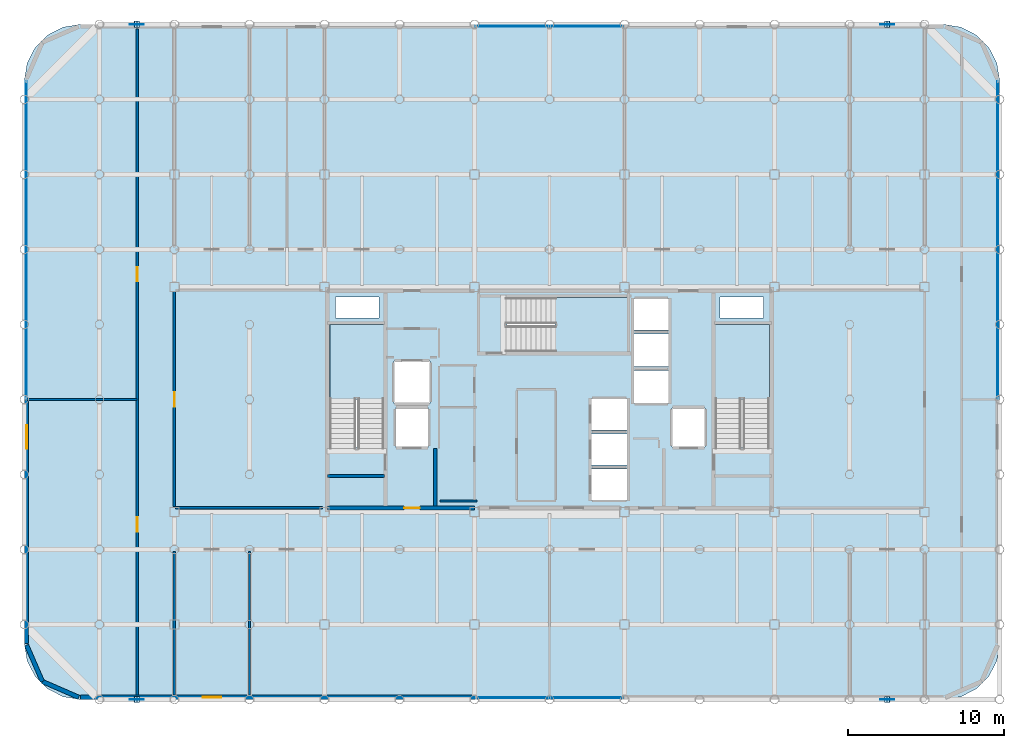
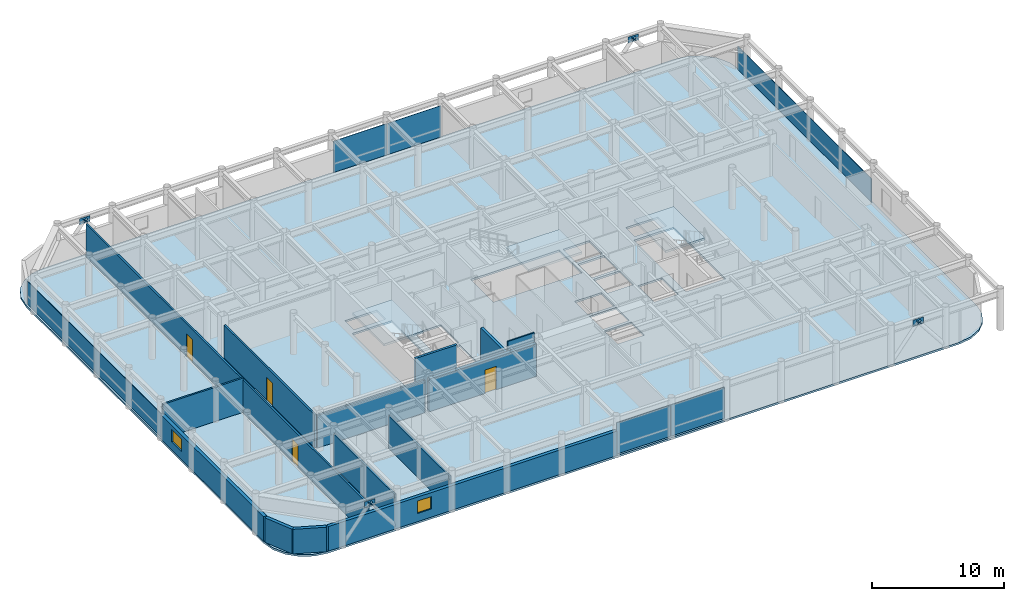
# One storey, part 17 of 21: 18 plates, 14 walls, 4 doors, 4 slabs, 2 windows, 6 openings, 7 elements without a shape of their own.
"""IFC4 building model written with IfcOpenShell, lengths in metres."""

from ifc_helpers import new_model, si_unit, direction, frame, frame_2d, origin, origin_2d, place, context, subcontext, project, spatial, polyline, rectangle, outline, extrude, material, layer, layer_set, type_object, element, fill, aggregate, save


model = new_model("IFC4")

# Units and contexts
model_context = context("Model", 3, precision=1e-05, world=origin(), true_north=direction((0.0, 1.0)))
body_context = subcontext(model_context, "Body", "Model", "MODEL_VIEW")
ifc_project = project(units=[si_unit("LENGTHUNIT", "METRE"), si_unit("AREAUNIT", "SQUARE_METRE"), si_unit("VOLUMEUNIT", "CUBIC_METRE"), si_unit("PLANEANGLEUNIT", "RADIAN"), si_unit("MASSUNIT", "GRAM", prefix="KILO")], contexts=[model_context])

# Site, building, storey
site_placement = place(None, origin())
site = spatial("IfcSite", under=ifc_project, at=site_placement, CompositionType="ELEMENT")
building_placement = place(site_placement, origin())
building = spatial("IfcBuilding", under=site, at=building_placement, Name="Kallvorn Hotel Tower", CompositionType="ELEMENT")
storey_placement = place(building_placement, frame((0.0, 0.0, 268.5)))
storey = spatial("IfcBuildingStorey", under=building, at=storey_placement, Name="L67", CompositionType="ELEMENT", Elevation=268.5)

# Curtain wall, plates
ifc_material_1 = material(Name="Thermally broken black-anodised aluminium AA 6063-T6", Category="aluminium")
ifc_layer_1 = layer(ifc_material_1, 0.22998046875)
ifc_layer_set_1 = layer_set([ifc_layer_1], Name="CW_SYS_5_HOTEL_HIGH")
curtain_wall_type = type_object("IfcCurtainWallType", Name="CW_SYS_5_HOTEL_HIGH", PredefinedType="USERDEFINED", material=ifc_layer_set_1)
curtain_wall_1_placement = place(storey_placement, origin())
curtain_wall_1 = element("IfcCurtainWall", 1, at=curtain_wall_1_placement, inside=storey, type_object=curtain_wall_type, Name="L67 Dark-Glass Curtain Wall CW-L67-SC", ObjectType="UNITISED CURTAIN WALL", PredefinedType="USERDEFINED")
ifc_material_2 = material(Name="Triple-glazed low-e acoustic solar-control dark glass", Category="glass")
ifc_layer_2 = layer(ifc_material_2, 0.04150390625)
ifc_layer_set_2 = layer_set([ifc_layer_2], Name="CW_SYS_5_HOTEL_HIGH_PANEL")
plate_type_1 = type_object("IfcPlateType", Name="CW_SYS_5_HOTEL_HIGH_PANEL", PredefinedType="CURTAIN_PANEL", material=ifc_layer_set_2)
plate_1_placement = place(storey_placement, frame((-2.375, -19.080078125, 0.06005859375), z_axis=(0.0, 0.0, 1.0), x_axis=(1.0, 0.0, 0.0)))
plate_1 = element("IfcPlate", 2, at=plate_1_placement, type_object=plate_type_1, Name="CW-L67-SC Vision Glass Panel 00", PredefinedType="CURTAIN_PANEL", context=body_context, shape_type="SweptSolid", body=[
    extrude(rectangle(XDim=4.68994140625, YDim=0.04150390625, at=origin_2d()), origin(), (0.0, 0.0, 1.0), 2.89990234375),
])
plate_2_placement = place(storey_placement, frame((2.375, -19.080078125, 0.06005859375), z_axis=(0.0, 0.0, 1.0), x_axis=(1.0, 0.0, 0.0)))
plate_2 = element("IfcPlate", 3, at=plate_2_placement, type_object=plate_type_1, Name="CW-L67-SC Vision Glass Panel 01", PredefinedType="CURTAIN_PANEL", context=body_context, shape_type="SweptSolid", body=[
    extrude(rectangle(XDim=4.68994140625, YDim=0.04150390625, at=origin_2d()), origin(), (0.0, 0.0, 1.0), 2.89990234375),
])
aggregate(curtain_wall_1, [plate_1, plate_2])

curtain_wall_2_placement = place(storey_placement, origin())
curtain_wall_2 = element("IfcCurtainWall", 4, at=curtain_wall_2_placement, inside=storey, type_object=curtain_wall_type, Name="L67 Dark-Glass Curtain Wall CW-L67-NC", ObjectType="UNITISED CURTAIN WALL", PredefinedType="USERDEFINED")
plate_3_placement = place(storey_placement, frame((-2.375, 23.8798828125, 0.06005859375), z_axis=(0.0, 0.0, 1.0), x_axis=(1.0, 0.0, 0.0)))
plate_3 = element("IfcPlate", 5, at=plate_3_placement, type_object=plate_type_1, Name="CW-L67-NC Vision Glass Panel 00", PredefinedType="CURTAIN_PANEL", context=body_context, shape_type="SweptSolid", body=[
    extrude(rectangle(XDim=4.68994140625, YDim=0.04150390625, at=origin_2d()), origin(), (0.0, 0.0, 1.0), 2.89990234375),
])
plate_4_placement = place(storey_placement, frame((2.375, 23.8798828125, 0.06005859375), z_axis=(0.0, 0.0, 1.0), x_axis=(1.0, 0.0, 0.0)))
plate_4 = element("IfcPlate", 6, at=plate_4_placement, type_object=plate_type_1, Name="CW-L67-NC Vision Glass Panel 01", PredefinedType="CURTAIN_PANEL", context=body_context, shape_type="SweptSolid", body=[
    extrude(rectangle(XDim=4.68994140625, YDim=0.04150390625, at=origin_2d()), origin(), (0.0, 0.0, 1.0), 2.89990234375),
])
aggregate(curtain_wall_2, [plate_3, plate_4])

# Curtain wall, plate
curtain_wall_3_placement = place(storey_placement, origin())
curtain_wall_3 = element("IfcCurtainWall", 7, at=curtain_wall_3_placement, inside=storey, type_object=curtain_wall_type, Name="L67 Dark-Glass Curtain Wall CW-L67-WN", ObjectType="UNITISED CURTAIN WALL", PredefinedType="USERDEFINED")
plate_5_placement = place(storey_placement, frame((-33.47998046875, 10.2099609375, 0.06005859375), z_axis=(0.0, 0.0, 1.0), x_axis=(0.0, 1.0, 0.0)))
plate_5 = element("IfcPlate", 8, at=plate_5_placement, type_object=plate_type_1, Name="CW-L67-WN Vision Glass Panel 00", PredefinedType="CURTAIN_PANEL", context=body_context, shape_type="SweptSolid", body=[
    extrude(rectangle(XDim=20.320068359375, YDim=0.04150390625, at=origin_2d()), origin(), (0.0, 0.0, 1.0), 2.14990234375),
])
aggregate(curtain_wall_3, [plate_5])

curtain_wall_4_placement = place(storey_placement, origin())
curtain_wall_4 = element("IfcCurtainWall", 9, at=curtain_wall_4_placement, inside=storey, type_object=curtain_wall_type, Name="L67 Dark-Glass Curtain Wall CW-L67-EN", ObjectType="UNITISED CURTAIN WALL", PredefinedType="USERDEFINED")
plate_6_placement = place(storey_placement, frame((28.679931640625, 10.2099609375, 0.06005859375), z_axis=(0.0, 0.0, 1.0), x_axis=(0.0, 1.0, 0.0)))
plate_6 = element("IfcPlate", 10, at=plate_6_placement, type_object=plate_type_1, Name="CW-L67-EN Vision Glass Panel 00", PredefinedType="CURTAIN_PANEL", context=body_context, shape_type="SweptSolid", body=[
    extrude(rectangle(XDim=20.320068359375, YDim=0.04150390625, at=origin_2d()), origin(), (0.0, 0.0, 1.0), 2.14990234375),
])
aggregate(curtain_wall_4, [plate_6])

# Plates
ifc_material_3 = material(Name="Structural steel S355JR", Category="steel")
ifc_layer_3 = layer(ifc_material_3, 0.030029296875)
ifc_layer_set_3 = layer_set([ifc_layer_3], Name="PLT_CAP_30")
plate_type_2 = type_object("IfcPlateType", Name="PLT_CAP_30", PredefinedType="SHEET", material=ifc_layer_set_3)
plate_7_placement = place(storey_placement, frame((-26.235595703125, -19.40185546875, 3.09228515625), z_axis=(0.621445895256, 0.0, 0.783457081957), x_axis=(0.0, 1.0, 0.0)))
element("IfcPlate", 11, at=plate_7_placement, inside=storey, type_object=plate_type_2, Name="EXO-L67-S1A End Cap Plate B", PredefinedType="SHEET", context=body_context, shape_type="SweptSolid", body=[
    extrude(outline(polyline([(0.0, 0.0), (0.40380859375, 0.0), (0.40380859375, 0.40385907190922293), (0.0, 0.40385907190922293), (0.0, 0.0)])), origin(), (0.0, 0.0, -1.0), 0.030029296875),
])
plate_8_placement = place(storey_placement, frame((-26.564453125, -18.998046875, 3.09228515625), z_axis=(-0.621151664719, 0.0, 0.783690378541), x_axis=(0.0, -1.0, 0.0)))
element("IfcPlate", 12, at=plate_8_placement, inside=storey, type_object=plate_type_2, Name="EXO-L67-S1B End Cap Plate B", PredefinedType="SHEET", context=body_context, shape_type="SweptSolid", body=[
    extrude(outline(polyline([(0.0, 0.0), (0.40380859375, 0.0), (0.40380859375, 0.4040503740962029), (0.0, 0.4040503740962029), (0.0, 0.0)])), origin(), (0.0, 0.0, -1.0), 0.030029296875),
])
plate_9_placement = place(storey_placement, frame((21.764404296875, -19.40185546875, 3.09228515625), z_axis=(0.621445895256, 0.0, 0.783457081957), x_axis=(0.0, 1.0, 0.0)))
element("IfcPlate", 13, at=plate_9_placement, inside=storey, type_object=plate_type_2, Name="EXO-L67-S2A End Cap Plate B", PredefinedType="SHEET", context=body_context, shape_type="SweptSolid", body=[
    extrude(outline(polyline([(0.0, 0.0), (0.40380859375, 0.0), (0.40380859375, 0.40385907190922293), (0.0, 0.40385907190922293), (0.0, 0.0)])), origin(), (0.0, 0.0, -1.0), 0.030029296875),
])
plate_10_placement = place(storey_placement, frame((21.435546875, -18.998046875, 3.09228515625), z_axis=(-0.621151664719, 0.0, 0.783690378541), x_axis=(0.0, -1.0, 0.0)))
element("IfcPlate", 14, at=plate_10_placement, inside=storey, type_object=plate_type_2, Name="EXO-L67-S2B End Cap Plate B", PredefinedType="SHEET", context=body_context, shape_type="SweptSolid", body=[
    extrude(outline(polyline([(0.0, 0.0), (0.40380859375, 0.0), (0.40380859375, 0.4040503740962029), (0.0, 0.4040503740962029), (0.0, 0.0)])), origin(), (0.0, 0.0, -1.0), 0.030029296875),
])
plate_11_placement = place(storey_placement, frame((-26.235595703125, 23.798095703125, 3.09228515625), z_axis=(0.621445895256, 0.0, 0.783457081957), x_axis=(0.0, 1.0, 0.0)))
element("IfcPlate", 15, at=plate_11_placement, inside=storey, type_object=plate_type_2, Name="EXO-L67-N1A End Cap Plate B", PredefinedType="SHEET", context=body_context, shape_type="SweptSolid", body=[
    extrude(outline(polyline([(0.0, 0.0), (0.40380859375, 0.0), (0.40380859375, 0.40385907190922293), (0.0, 0.40385907190922293), (0.0, 0.0)])), origin(), (0.0, 0.0, -1.0), 0.030029296875),
])
plate_12_placement = place(storey_placement, frame((-26.564453125, 24.201904296875, 3.09228515625), z_axis=(-0.621151664719, 0.0, 0.783690378541), x_axis=(0.0, -1.0, 0.0)))
element("IfcPlate", 16, at=plate_12_placement, inside=storey, type_object=plate_type_2, Name="EXO-L67-N1B End Cap Plate B", PredefinedType="SHEET", context=body_context, shape_type="SweptSolid", body=[
    extrude(outline(polyline([(0.0, 0.0), (0.40380859375, 0.0), (0.40380859375, 0.4040503740962029), (0.0, 0.4040503740962029), (0.0, 0.0)])), origin(), (0.0, 0.0, -1.0), 0.030029296875),
])
plate_13_placement = place(storey_placement, frame((21.764404296875, 23.798095703125, 3.09228515625), z_axis=(0.621445895256, 0.0, 0.783457081957), x_axis=(0.0, 1.0, 0.0)))
element("IfcPlate", 17, at=plate_13_placement, inside=storey, type_object=plate_type_2, Name="EXO-L67-N2A End Cap Plate B", PredefinedType="SHEET", context=body_context, shape_type="SweptSolid", body=[
    extrude(outline(polyline([(0.0, 0.0), (0.40380859375, 0.0), (0.40380859375, 0.40385907190922293), (0.0, 0.40385907190922293), (0.0, 0.0)])), origin(), (0.0, 0.0, -1.0), 0.030029296875),
])
plate_14_placement = place(storey_placement, frame((21.435546875, 24.201904296875, 3.09228515625), z_axis=(-0.621151664719, 0.0, 0.783690378541), x_axis=(0.0, -1.0, 0.0)))
element("IfcPlate", 18, at=plate_14_placement, inside=storey, type_object=plate_type_2, Name="EXO-L67-N2B End Cap Plate B", PredefinedType="SHEET", context=body_context, shape_type="SweptSolid", body=[
    extrude(outline(polyline([(0.0, 0.0), (0.40380859375, 0.0), (0.40380859375, 0.4040503740962029), (0.0, 0.4040503740962029), (0.0, 0.0)])), origin(), (0.0, 0.0, -1.0), 0.030029296875),
])
ifc_material_4 = material(Name="Structural steel S355JR", Category="steel")
ifc_layer_4 = layer(ifc_material_4, 0.034912109375)
ifc_layer_set_4 = layer_set([ifc_layer_4], Name="PLT_GUSSET_35")
plate_type_3 = type_object("IfcPlateType", Name="PLT_GUSSET_35", PredefinedType="USERDEFINED", material=ifc_layer_set_4)
for number, where, z_axis, x_axis, name in (
    (19, (-26.39990234375, -19.199951171875, 2.889892578125), (0.0, 0.0, 1.0), (1.0, 0.0, 0.0), "L67 Exoskeleton Node Gusset S1"),
    (20, (21.60009765625, -19.199951171875, 2.889892578125), (0.0, 0.0, 1.0), (1.0, 0.0, 0.0), "L67 Exoskeleton Node Gusset S2"),
    (21, (-26.39990234375, 24.0, 2.889892578125), (0.0, 0.0, 1.0), (1.0, 0.0, 0.0), "L67 Exoskeleton Node Gusset N1"),
    (22, (21.60009765625, 24.0, 2.889892578125), (0.0, 0.0, 1.0), (1.0, 0.0, 0.0), "L67 Exoskeleton Node Gusset N2"),
):
    element("IfcPlate", number, at=place(storey_placement, frame(where, z_axis=z_axis, x_axis=x_axis)), inside=storey, type_object=plate_type_3, Name=name, ObjectType="GUSSET PLATE", PredefinedType="USERDEFINED", context=body_context, shape_type="SweptSolid", body=[
        extrude(rectangle(XDim=0.89990234375, YDim=0.034912109375, at=origin_2d()), origin(), (0.0, 0.0, 1.0), 0.56005859375),
    ])

# Stair, slab
ifc_material_5 = material(Name="Precast concrete C40/50", Category="concrete")
stair_type = type_object("IfcStairType", Name="STR_CORE_DOGLEG", PredefinedType="HALF_TURN_STAIR", material=ifc_material_5)
stair_1_placement = place(storey_placement, origin())
stair_1 = element("IfcStair", 23, at=stair_1_placement, inside=storey, type_object=stair_type, Name="L67 Exit stair ST1", PredefinedType="HALF_TURN_STAIR")
ifc_material_6 = material(Name="Precast concrete C40/50", Category="concrete")
ifc_layer_5 = layer(ifc_material_6, 0.179931640625)
ifc_layer_set_5 = layer_set([ifc_layer_5], Name="SLB_LANDING_180")
slab_type_1 = type_object("IfcSlabType", Name="SLB_LANDING_180", PredefinedType="LANDING", material=ifc_layer_set_5)
slab_1_placement = place(storey_placement, frame((0.0, 0.0, 1.72509765625)))
slab_1 = element("IfcSlab", 24, at=slab_1_placement, type_object=slab_type_1, Name="ST1 landing 1", PredefinedType="LANDING", context=body_context, shape_type="SweptSolid", body=[
    extrude(outline(polyline([(-10.60009765625, 0.010009765625), (-10.60009765625, 4.800048828125), (-14.06005859375, 4.800048828125), (-14.06005859375, 0.010009765625), (-10.60009765625, 0.010009765625)])), origin(), (0.0, 0.0, 1.0), 0.199951171875),
])
aggregate(stair_1, [slab_1])

stair_2_placement = place(storey_placement, origin())
stair_2 = element("IfcStair", 25, at=stair_2_placement, inside=storey, type_object=stair_type, Name="L67 Exit stair ST2", PredefinedType="HALF_TURN_STAIR")
slab_2_placement = place(storey_placement, frame((0.0, 0.0, 1.72509765625)))
slab_2 = element("IfcSlab", 26, at=slab_2_placement, type_object=slab_type_1, Name="ST2 landing 1", PredefinedType="LANDING", context=body_context, shape_type="SweptSolid", body=[
    extrude(outline(polyline([(14.06005859375, 0.010009765625), (14.06005859375, 4.800048828125), (10.60009765625, 4.800048828125), (10.60009765625, 0.010009765625), (14.06005859375, 0.010009765625)])), origin(), (0.0, 0.0, 1.0), 0.199951171875),
])
aggregate(stair_2, [slab_2])

stair_3_placement = place(storey_placement, origin())
stair_3 = element("IfcStair", 27, at=stair_3_placement, inside=storey, type_object=stair_type, Name="L67 Exit stair ST3", PredefinedType="HALF_TURN_STAIR")
slab_3_placement = place(storey_placement, frame((0.0, 0.0, 1.72509765625)))
slab_3 = element("IfcSlab", 28, at=slab_3_placement, type_object=slab_type_1, Name="ST3 landing 1", PredefinedType="LANDING", context=body_context, shape_type="SweptSolid", body=[
    extrude(outline(polyline([(0.360107421875, 3.050048828125), (5.050048828125, 3.050048828125), (5.050048828125, 6.510009765625), (0.360107421875, 6.510009765625), (0.360107421875, 3.050048828125)])), origin(), (0.0, 0.0, 1.0), 0.199951171875),
])
aggregate(stair_3, [slab_3])

# Slab
ifc_material_7 = material(Name="Concrete C40/50", Category="concrete")
ifc_layer_6 = layer(ifc_material_7, 0.179931640625)
ifc_layer_set_6 = layer_set([ifc_layer_6], Name="SLB_TOWER_180")
slab_type_2 = type_object("IfcSlabType", Name="SLB_TOWER_180", PredefinedType="FLOOR", material=ifc_layer_set_6)
slab_4_placement = place(storey_placement, frame((0.0, 0.0, -0.179931640625)))
element("IfcSlab", 29, at=slab_4_placement, inside=storey, type_object=slab_type_2, Name="L67 Structural Floor Slab", PredefinedType="FLOOR", context=body_context, shape_type="SweptSolid", body=[
    extrude(outline(polyline([(25.199951171875, -19.199951171875), (26.3125, -19.023681640625), (27.31591796875, -18.512451171875), (28.112548828125, -17.716064453125), (28.623779296875, -16.71240234375), (28.800048828125, -15.60009765625), (28.800048828125, 20.39990234375), (28.623779296875, 21.512451171875), (28.112548828125, 22.51611328125), (27.31591796875, 23.3125), (26.3125, 23.82373046875), (25.199951171875, 24.0), (-30.0, 24.0), (-31.112548828125, 23.82373046875), (-32.115966796875, 23.3125), (-32.91259765625, 22.51611328125), (-33.423828125, 21.512451171875), (-33.60009765625, 20.39990234375), (-33.60009765625, -15.60009765625), (-33.423828125, -16.71240234375), (-32.91259765625, -17.716064453125), (-32.115966796875, -18.512451171875), (-31.112548828125, -19.023681640625), (-30.0, -19.199951171875), (25.199951171875, -19.199951171875)]), holes=[polyline([(-10.60009765625, -3.070068359375), (-10.60009765625, 4.800048828125), (-14.06005859375, 4.800048828125), (-14.06005859375, -3.070068359375), (-10.60009765625, -3.070068359375)]), polyline([(14.06005859375, -3.070068359375), (14.06005859375, 4.800048828125), (10.60009765625, 4.800048828125), (10.60009765625, -3.070068359375), (14.06005859375, -3.070068359375)]), polyline([(-2.719970703125, 3.050048828125), (5.050048828125, 3.050048828125), (5.050048828125, 6.510009765625), (-2.719970703125, 6.510009765625), (-2.719970703125, 3.050048828125)]), polyline([(2.64990234375, -6.449951171875), (5.0, -6.449951171875), (5.0, -4.449951171875), (2.64990234375, -4.449951171875), (2.64990234375, -6.449951171875)]), polyline([(2.64990234375, -4.199951171875), (5.0, -4.199951171875), (5.0, -2.199951171875), (2.64990234375, -2.199951171875), (2.64990234375, -4.199951171875)]), polyline([(2.64990234375, -1.949951171875), (5.0, -1.949951171875), (5.0, 0.050048828125), (2.64990234375, 0.050048828125), (2.64990234375, -1.949951171875)]), polyline([(5.35009765625, -0.25), (7.64990234375, -0.25), (7.64990234375, 1.85009765625), (5.35009765625, 1.85009765625), (5.35009765625, -0.25)]), polyline([(5.35009765625, 2.10009765625), (7.64990234375, 2.10009765625), (7.64990234375, 4.199951171875), (5.35009765625, 4.199951171875), (5.35009765625, 2.10009765625)]), polyline([(5.35009765625, 4.449951171875), (7.64990234375, 4.449951171875), (7.64990234375, 6.449951171875), (5.35009765625, 6.449951171875), (5.35009765625, 4.449951171875)]), polyline([(-9.85009765625, -3.050048828125), (-7.75, -3.050048828125), (-7.75, -0.550048828125), (-9.85009765625, -0.550048828125), (-9.85009765625, -3.050048828125)]), polyline([(7.85009765625, -3.050048828125), (9.949951171875, -3.050048828125), (9.949951171875, -0.550048828125), (7.85009765625, -0.550048828125), (7.85009765625, -3.050048828125)]), polyline([(-9.949951171875, -0.25), (-7.64990234375, -0.25), (-7.64990234375, 2.449951171875), (-9.949951171875, 2.449951171875), (-9.949951171875, -0.25)]), polyline([(-13.699951171875, 5.199951171875), (-10.89990234375, 5.199951171875), (-10.89990234375, 6.550048828125), (-13.699951171875, 6.550048828125), (-13.699951171875, 5.199951171875)]), polyline([(10.89990234375, 5.199951171875), (13.699951171875, 5.199951171875), (13.699951171875, 6.550048828125), (10.89990234375, 6.550048828125), (10.89990234375, 5.199951171875)])]), origin(), (0.0, 0.0, 1.0), 0.179931640625),
])

# Walls
ifc_material_8 = material(Name="Precast basalt-clad insulated concrete wall C40/50", Category="masonry")
ifc_layer_7 = layer(ifc_material_8, 0.280029296875)
ifc_layer_set_7 = layer_set([ifc_layer_7], Name="WL_EXT_LOGGIA_280")
wall_type_1 = type_object("IfcWallType", Name="WL_EXT_LOGGIA_280", PredefinedType="SOLIDWALL", material=ifc_layer_set_7)
wall_1_placement = place(storey_placement, frame((-33.4580078125, -15.720703125, 0.0), z_axis=(0.0, 0.0, 1.0), x_axis=(0.398792985289, -0.917040977756, 0.0)))
element("IfcWall", 30, at=wall_1_placement, inside=storey, type_object=wall_type_1, Name="L67 Rounded Corner Exterior Wall SW1", PredefinedType="SOLIDWALL", context=body_context, shape_type="SweptSolid", body=[
    extrude(rectangle(XDim=2.536376953125, YDim=0.280029296875, at=frame_2d((1.26806640625, 0.0))), origin(), (0.0, 0.0, 1.0), 2.27001953125),
])
wall_2_placement = place(storey_placement, frame((-32.446533203125, -18.046630859375, 0.0), z_axis=(0.0, 0.0, 1.0), x_axis=(0.917060872934, -0.398747232384, 0.0)))
element("IfcWall", 31, at=wall_2_placement, inside=storey, type_object=wall_type_1, Name="L67 Rounded Corner Exterior Wall SW2", PredefinedType="SOLIDWALL", context=body_context, shape_type="SweptSolid", body=[
    extrude(rectangle(XDim=2.5361328125, YDim=0.280029296875, at=frame_2d((1.26806640625, 0.0))), origin(), (0.0, 0.0, 1.0), 2.27001953125),
])

# Wall, opening, window
wall_3_placement = place(storey_placement, frame((-30.0, -19.06005859375, 0.0), z_axis=(0.0, 0.0, 1.0), x_axis=(1.0, 0.0, 0.0)))
wall_3 = element("IfcWall", 32, at=wall_3_placement, inside=storey, type_object=wall_type_1, Name="L67 Exterior Envelope Wall EW-L67-SW", PredefinedType="SOLIDWALL", context=body_context, shape_type="SweptSolid", body=[
    extrude(rectangle(XDim=25.25, YDim=0.280029296875, at=frame_2d((12.625, 0.0))), origin(), (0.0, 0.0, 1.0), 2.27001953125),
])
opening_1_placement = place(wall_3_placement, frame((7.800048828125, 0.0, 0.75)))
opening_1 = element("IfcOpeningElement", 33, at=opening_1_placement, cuts=wall_3, Name="Opening W06A", PredefinedType="OPENING", context=body_context, shape_type="SweptSolid", body=[
    extrude(rectangle(XDim=1.199951171875, YDim=1.14990234375, at=frame_2d((0.60009765625, 0.574951171875))), frame((0.0, 0.155029296875, 0.0), z_axis=(0.0, -1.0, 0.0), x_axis=(1.0, 0.0, 0.0)), (0.0, 0.0, 1.0), 0.31005859375),
])
ifc_material_9 = material(Name="Triple-glazed low-e acoustic solar-control dark glass", Category="glass")
window_type_1 = type_object("IfcWindowType", Name="WN_HTL_1200x1150", PartitioningType="SINGLE_PANEL", PredefinedType="WINDOW", material=ifc_material_9)
window_1_placement = place(opening_1_placement, origin())
window_1 = element("IfcWindow", 34, at=window_1_placement, inside=storey, type_object=window_type_1, Name="L67 Guestroom Exterior Window 01", OverallHeight=1.14990234375, OverallWidth=1.199951171875, PartitioningType="SINGLE_PANEL", PredefinedType="WINDOW", context=body_context, shape_type="SweptSolid", body=[
    extrude(rectangle(XDim=1.199951171875, YDim=1.14990234375, at=frame_2d((0.60009765625, 0.574951171875))), frame((0.0, 0.030029296875, 0.0), z_axis=(0.0, -1.0, 0.0), x_axis=(1.0, 0.0, 0.0)), (0.0, 0.0, 1.0), 0.06005859375),
])
fill(opening_1, window_1)

wall_4_placement = place(storey_placement, frame((-33.4599609375, -15.60009765625, 0.0), z_axis=(0.0, 0.0, 1.0), x_axis=(0.0, 1.0, 0.0)))
wall_4 = element("IfcWall", 35, at=wall_4_placement, inside=storey, type_object=wall_type_1, Name="L67 Exterior Envelope Wall EW-L67-WS", PredefinedType="SOLIDWALL", context=body_context, shape_type="SweptSolid", body=[
    extrude(rectangle(XDim=15.580078125, YDim=0.280029296875, at=frame_2d((7.7900390625, 0.0))), origin(), (0.0, 0.0, 1.0), 2.27001953125),
])
opening_2_placement = place(wall_4_placement, frame((12.449951171875, 0.0, 0.75)))
opening_2 = element("IfcOpeningElement", 36, at=opening_2_placement, cuts=wall_4, Name="Opening W05A", PredefinedType="OPENING", context=body_context, shape_type="SweptSolid", body=[
    extrude(rectangle(XDim=1.5, YDim=1.14990234375, at=frame_2d((0.75, 0.574951171875))), frame((0.0, 0.155029296875, 0.0), z_axis=(0.0, -1.0, 0.0), x_axis=(1.0, 0.0, 0.0)), (0.0, 0.0, 1.0), 0.31005859375),
])
ifc_material_10 = material(Name="Double-glazed low-e solar-control dark glass", Category="glass")
window_type_2 = type_object("IfcWindowType", Name="WN_HTL_1500x1150", PartitioningType="SINGLE_PANEL", PredefinedType="WINDOW", material=ifc_material_10)
window_2_placement = place(opening_2_placement, origin())
window_2 = element("IfcWindow", 37, at=window_2_placement, inside=storey, type_object=window_type_2, Name="L67 Flank Wing Window 03", OverallHeight=1.14990234375, OverallWidth=1.5, PartitioningType="SINGLE_PANEL", PredefinedType="WINDOW", context=body_context, shape_type="SweptSolid", body=[
    extrude(rectangle(XDim=1.5, YDim=1.14990234375, at=frame_2d((0.75, 0.574951171875))), frame((0.0, 0.030029296875, 0.0), z_axis=(0.0, -1.0, 0.0), x_axis=(1.0, 0.0, 0.0)), (0.0, 0.0, 1.0), 0.06005859375),
])
fill(opening_2, window_2)

# Walls
ifc_material_11 = material(Name="Concrete C40/50", Category="concrete")
ifc_layer_8 = layer(ifc_material_11, 0.219970703125)
ifc_layer_set_8 = layer_set([ifc_layer_8], Name="WL_FFL_220")
wall_type_2 = type_object("IfcWallType", Name="WL_FFL_220", PredefinedType="SOLIDWALL", material=ifc_layer_set_8)
wall_5_placement = place(storey_placement, frame((-7.300048828125, -6.820068359375, 0.0), z_axis=(0.0, 0.0, 1.0), x_axis=(0.0, 1.0, 0.0)))
element("IfcWall", 38, at=wall_5_placement, inside=storey, type_object=wall_type_2, Name="L67 Firefighting Lobby West Divider Wall", PredefinedType="SOLIDWALL", context=body_context, shape_type="SweptSolid", body=[
    extrude(rectangle(XDim=3.670166015625, YDim=0.219970703125, at=frame_2d((1.8349609375, 0.0))), origin(), (0.0, 0.0, 1.0), 3.02001953125),
])
ifc_material_12 = material(Name="Concrete C40/50", Category="concrete")
ifc_layer_9 = layer(ifc_material_12, 0.199951171875)
ifc_layer_set_9 = layer_set([ifc_layer_9], Name="WL_HOIST_200")
wall_type_3 = type_object("IfcWallType", Name="WL_HOIST_200", PredefinedType="SOLIDWALL", material=ifc_layer_set_9)
wall_6_placement = place(storey_placement, frame((-14.199951171875, -4.89990234375, -0.179931640625), z_axis=(0.0, 0.0, 1.0), x_axis=(1.0, 0.0, 0.0)))
element("IfcWall", 39, at=wall_6_placement, inside=storey, type_object=wall_type_3, Name="L67 Stair ST1 South Wall", PredefinedType="SOLIDWALL", context=body_context, shape_type="SweptSolid", body=[
    extrude(rectangle(XDim=3.64990234375, YDim=0.199951171875, at=frame_2d((1.824951171875, 0.0))), origin(), (0.0, 0.0, 1.0), 3.849853515625),
])
ifc_material_13 = material(Name="Fire-rated double-layer acoustic gypsum drywall EI 60")
ifc_layer_10 = layer(ifc_material_13, 0.1201171875)
ifc_layer_set_10 = layer_set([ifc_layer_10], Name="WL_INT_120")
wall_type_4 = type_object("IfcWallType", Name="WL_INT_120", PredefinedType="PARTITIONING", material=ifc_layer_set_10)
wall_7_placement = place(storey_placement, frame((-7.0, -6.5, 0.0), z_axis=(0.0, 0.0, 1.0), x_axis=(1.0, 0.0, 0.0)))
element("IfcWall", 40, at=wall_7_placement, inside=storey, type_object=wall_type_4, Name="L67 Recaptured Full-Depth Sommelier Store Partition", PredefinedType="PARTITIONING", context=body_context, shape_type="SweptSolid", body=[
    extrude(rectangle(XDim=2.35009765625, YDim=0.1201171875, at=frame_2d((1.175048828125, 0.0))), origin(), (0.0, 0.0, 1.0), 3.669921875),
])
ifc_material_14 = material(Name="Fire-rated double-layer acoustic gypsum drywall EI 60")
ifc_layer_11 = layer(ifc_material_14, 0.14990234375)
ifc_layer_set_11 = layer_set([ifc_layer_11], Name="WL_PART_150")
wall_type_5 = type_object("IfcWallType", Name="WL_PART_150", PredefinedType="PARTITIONING", material=ifc_layer_set_11)
wall_8_placement = place(storey_placement, frame((-23.919921875, -6.919921875, 0.0), z_axis=(0.0, 0.0, 1.0), x_axis=(1.0, 0.0, 0.0)))
element("IfcWall", 41, at=wall_8_placement, inside=storey, type_object=wall_type_5, Name="L67 L67 High-Zone Inner West Club Bar Partition", PredefinedType="PARTITIONING", context=body_context, shape_type="SweptSolid", body=[
    extrude(rectangle(XDim=9.39990234375, YDim=0.14990234375, at=frame_2d((4.699951171875, 0.0))), origin(), (0.0, 0.0, 1.0), 3.02001953125),
])
wall_9_placement = place(storey_placement, frame((-33.429931640625, 0.0, 0.0), z_axis=(0.0, 0.0, 1.0), x_axis=(1.0, 0.0, 0.0)))
element("IfcWall", 42, at=wall_9_placement, inside=storey, type_object=wall_type_5, Name="L67 L67 Outer West North Fitness Club Partition", PredefinedType="PARTITIONING", context=body_context, shape_type="SweptSolid", body=[
    extrude(rectangle(XDim=7.050048828125, YDim=0.14990234375, at=frame_2d((3.52490234375, 0.0))), origin(), (0.0, 0.0, 1.0), 3.169921875),
])

# Wall, openings, doors
wall_10_placement = place(storey_placement, frame((-26.3798828125, -18.909912109375, 0.0), z_axis=(0.0, 0.0, 1.0), x_axis=(0.0, 1.0, 0.0)))
wall_10 = element("IfcWall", 43, at=wall_10_placement, inside=storey, type_object=wall_type_5, Name="L67 L67 Outer West South Cocktail Bar Partition", PredefinedType="PARTITIONING", context=body_context, shape_type="SweptSolid", body=[
    extrude(rectangle(XDim=42.619873046875, YDim=0.14990234375, at=frame_2d((21.31005859375, 0.0))), origin(), (0.0, 0.0, 1.0), 3.02001953125),
])
opening_3_placement = place(wall_10_placement, frame((10.4599609375, 0.0, 0.0)))
opening_3 = element("IfcOpeningElement", 44, at=opening_3_placement, cuts=wall_10, Name="Opening SVD1", PredefinedType="OPENING", context=body_context, shape_type="SweptSolid", body=[
    extrude(rectangle(XDim=0.89990234375, YDim=2.10009765625, at=frame_2d((0.449951171875, 1.050048828125))), frame((0.0, 0.08984375, 0.0), z_axis=(0.0, -1.0, 0.0), x_axis=(1.0, 0.0, 0.0)), (0.0, 0.0, 1.0), 0.179931640625),
])
opening_4_placement = place(wall_10_placement, frame((26.4599609375, 0.0, 0.0)))
opening_4 = element("IfcOpeningElement", 45, at=opening_4_placement, cuts=wall_10, Name="Opening SVD1", PredefinedType="OPENING", context=body_context, shape_type="SweptSolid", body=[
    extrude(rectangle(XDim=0.89990234375, YDim=2.10009765625, at=frame_2d((0.449951171875, 1.050048828125))), frame((0.0, 0.08984375, 0.0), z_axis=(0.0, -1.0, 0.0), x_axis=(1.0, 0.0, 0.0)), (0.0, 0.0, 1.0), 0.179931640625),
])
ifc_material_15 = material(Name="Galvanised painted steel fire-rated door assembly", Category="steel")
door_type_1 = type_object("IfcDoorType", Name="DR_SERV_900x2100", OperationType="NOTDEFINED", PredefinedType="DOOR", material=ifc_material_15)
door_1_placement = place(opening_3_placement, origin())
door_1 = element("IfcDoor", 46, at=door_1_placement, inside=storey, type_object=door_type_1, Name="L67 L67 Outer West South Cocktail Bar Door", OperationType="SINGLE_SWING_LEFT", OverallHeight=2.10009765625, OverallWidth=0.89990234375, PredefinedType="DOOR", context=body_context, shape_type="SweptSolid", body=[
    extrude(rectangle(XDim=0.89990234375, YDim=2.10009765625, at=frame_2d((0.449951171875, 1.050048828125))), frame((0.0, 0.02490234375, 0.0), z_axis=(0.0, -1.0, 0.0), x_axis=(1.0, 0.0, 0.0)), (0.0, 0.0, 1.0), 0.050048828125),
])
fill(opening_3, door_1)
door_2_placement = place(opening_4_placement, origin())
door_2 = element("IfcDoor", 47, at=door_2_placement, inside=storey, type_object=door_type_1, Name="L67 L67 Outer West North Fitness Club Door", OperationType="SINGLE_SWING_LEFT", OverallHeight=2.10009765625, OverallWidth=0.89990234375, PredefinedType="DOOR", context=body_context, shape_type="SweptSolid", body=[
    extrude(rectangle(XDim=0.89990234375, YDim=2.10009765625, at=frame_2d((0.449951171875, 1.050048828125))), frame((0.0, 0.02490234375, 0.0), z_axis=(0.0, -1.0, 0.0), x_axis=(1.0, 0.0, 0.0)), (0.0, 0.0, 1.0), 0.050048828125),
])
fill(opening_4, door_2)

# Wall
wall_11_placement = place(storey_placement, frame((-24.0, -18.909912109375, 0.0), z_axis=(0.0, 0.0, 1.0), x_axis=(0.0, 1.0, 0.0)))
element("IfcWall", 48, at=wall_11_placement, inside=storey, type_object=wall_type_5, Name="L67 L67 High-Zone South-West Tea Bar Partition", PredefinedType="PARTITIONING", context=body_context, shape_type="SweptSolid", body=[
    extrude(rectangle(XDim=9.18994140625, YDim=0.14990234375, at=frame_2d((4.594970703125, 0.0))), origin(), (0.0, 0.0, 1.0), 3.02001953125),
])

# Wall, opening, door
wall_12_placement = place(storey_placement, frame((-24.0, -6.8349609375, 0.0), z_axis=(0.0, 0.0, 1.0), x_axis=(0.0, 1.0, 0.0)))
wall_12 = element("IfcWall", 49, at=wall_12_placement, inside=storey, type_object=wall_type_5, Name="L67 L67 High-Zone Inner West Club Bar Partition", PredefinedType="PARTITIONING", context=body_context, shape_type="SweptSolid", body=[
    extrude(rectangle(XDim=13.72998046875, YDim=0.14990234375, at=frame_2d((6.864990234375, 0.0))), origin(), (0.0, 0.0, 1.0), 3.02001953125),
])
opening_5_placement = place(wall_12_placement, frame((6.385009765625, 0.0, 0.0)))
opening_5 = element("IfcOpeningElement", 50, at=opening_5_placement, cuts=wall_12, Name="Opening SVD1", PredefinedType="OPENING", context=body_context, shape_type="SweptSolid", body=[
    extrude(rectangle(XDim=0.89990234375, YDim=2.10009765625, at=frame_2d((0.449951171875, 1.050048828125))), frame((0.0, 0.08984375, 0.0), z_axis=(0.0, -1.0, 0.0), x_axis=(1.0, 0.0, 0.0)), (0.0, 0.0, 1.0), 0.179931640625),
])
door_3_placement = place(opening_5_placement, origin())
door_3 = element("IfcDoor", 51, at=door_3_placement, inside=storey, type_object=door_type_1, Name="L67 L67 High-Zone Inner West Club Bar Door", OperationType="SINGLE_SWING_LEFT", OverallHeight=2.10009765625, OverallWidth=0.89990234375, PredefinedType="DOOR", context=body_context, shape_type="SweptSolid", body=[
    extrude(rectangle(XDim=0.89990234375, YDim=2.10009765625, at=frame_2d((0.449951171875, 1.050048828125))), frame((0.0, 0.02490234375, 0.0), z_axis=(0.0, -1.0, 0.0), x_axis=(1.0, 0.0, 0.0)), (0.0, 0.0, 1.0), 0.050048828125),
])
fill(opening_5, door_3)

# Wall
wall_13_placement = place(storey_placement, frame((-19.199951171875, -18.909912109375, 0.0), z_axis=(0.0, 0.0, 1.0), x_axis=(0.0, 1.0, 0.0)))
element("IfcWall", 52, at=wall_13_placement, inside=storey, type_object=wall_type_5, Name="L67 L67 High-Zone South-West Tea Bar Partition", PredefinedType="PARTITIONING", context=body_context, shape_type="SweptSolid", body=[
    extrude(rectangle(XDim=9.18994140625, YDim=0.14990234375, at=frame_2d((4.594970703125, 0.0))), origin(), (0.0, 0.0, 1.0), 3.02001953125),
])

# Wall, opening, door
ifc_material_16 = material(Name="Concrete C40/50", Category="concrete")
ifc_layer_12 = layer(ifc_material_16, 0.25)
ifc_layer_set_12 = layer_set([ifc_layer_12], Name="WL_SHAFT_250")
wall_type_6 = type_object("IfcWallType", Name="WL_SHAFT_250", PredefinedType="SOLIDWALL", material=ifc_layer_set_12)
wall_14_placement = place(storey_placement, frame((-14.199951171875, -6.949951171875, 0.0), z_axis=(0.0, 0.0, 1.0), x_axis=(1.0, 0.0, 0.0)))
wall_14 = element("IfcWall", 53, at=wall_14_placement, inside=storey, type_object=wall_type_6, Name="L67 Core South-West Wall", PredefinedType="SOLIDWALL", context=body_context, shape_type="SweptSolid", body=[
    extrude(rectangle(XDim=9.39990234375, YDim=0.25, at=frame_2d((4.699951171875, 0.0))), origin(), (0.0, 0.0, 1.0), 3.02001953125),
])
opening_6_placement = place(wall_14_placement, frame((4.89990234375, 0.0, 0.0)))
opening_6 = element("IfcOpeningElement", 54, at=opening_6_placement, cuts=wall_14, Name="Opening FD1", PredefinedType="OPENING", context=body_context, shape_type="SweptSolid", body=[
    extrude(rectangle(XDim=1.0, YDim=2.14990234375, at=frame_2d((0.5, 1.074951171875))), frame((0.0, 0.139892578125, 0.0), z_axis=(0.0, -1.0, 0.0), x_axis=(1.0, 0.0, 0.0)), (0.0, 0.0, 1.0), 0.280029296875),
])
ifc_material_17 = material(Name="Galvanised painted steel fire-rated door assembly", Category="steel")
door_type_2 = type_object("IfcDoorType", Name="DR_FFL_1000x2150", OperationType="NOTDEFINED", PredefinedType="DOOR", material=ifc_material_17)
door_4_placement = place(opening_6_placement, origin())
door_4 = element("IfcDoor", 55, at=door_4_placement, inside=storey, type_object=door_type_2, Name="L67 Firefighting Lobby West Door", OperationType="SINGLE_SWING_LEFT", OverallHeight=2.14990234375, OverallWidth=1.0, PredefinedType="DOOR", context=body_context, shape_type="SweptSolid", body=[
    extrude(rectangle(XDim=1.0, YDim=2.14990234375, at=frame_2d((0.5, 1.074951171875))), frame((0.0, 0.02490234375, 0.0), z_axis=(0.0, -1.0, 0.0), x_axis=(1.0, 0.0, 0.0)), (0.0, 0.0, 1.0), 0.050048828125),
])
fill(opening_6, door_4)

save(model, "model.ifc")
